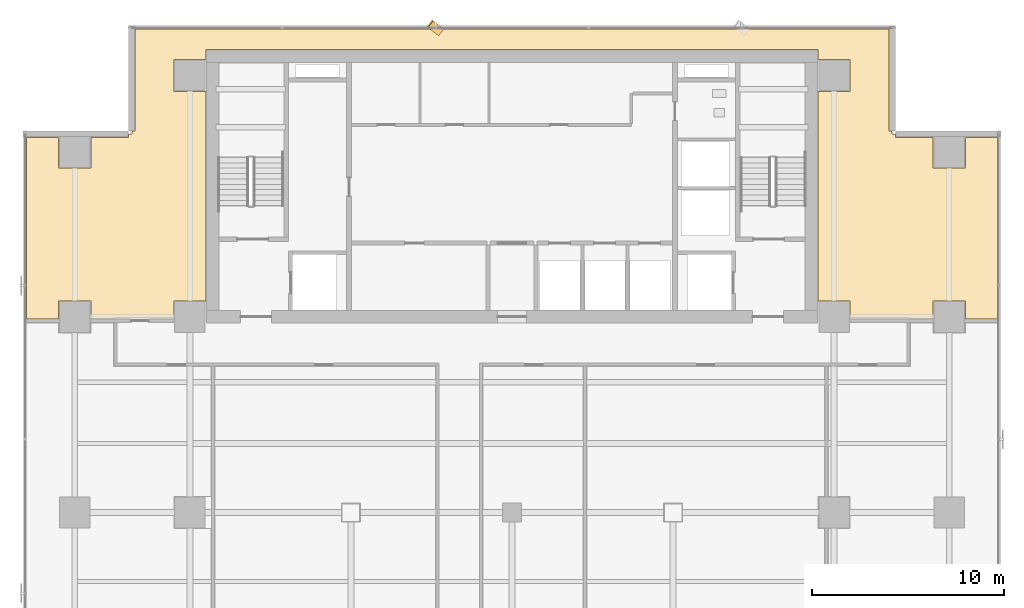
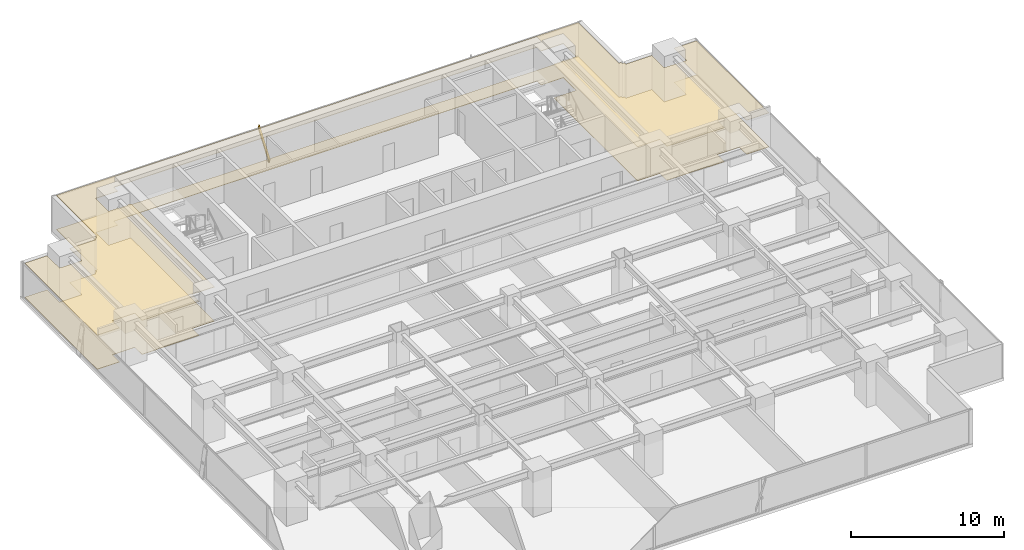
# One storey, part 32 of 34: 2 coverings, 1 shading device.
"""IFC4 building model written with IfcOpenShell, lengths in metres."""

from ifc_helpers import new_model, si_unit, direction, frame, origin, origin_2d, place, context, subcontext, project, spatial, polyline, rectangle, outline, extrude, source, transform, mapped, material, layer, layer_set, material_profile, profile_set, type_object, element, save


model = new_model("IFC4")

# Units and contexts
model_context = context("Model", 3, precision=1e-05, world=origin(), true_north=direction((0.0, 1.0)))
body_context = subcontext(model_context, "Body", "Model", "MODEL_VIEW")
ifc_project = project(units=[si_unit("LENGTHUNIT", "METRE"), si_unit("AREAUNIT", "SQUARE_METRE"), si_unit("VOLUMEUNIT", "CUBIC_METRE"), si_unit("PLANEANGLEUNIT", "RADIAN"), si_unit("MASSUNIT", "GRAM", prefix="KILO")], contexts=[model_context])

# Site, building, storey
site_placement = place(None, origin())
site = spatial("IfcSite", under=ifc_project, at=site_placement, CompositionType="ELEMENT")
building_placement = place(site_placement, origin())
building = spatial("IfcBuilding", under=site, at=building_placement, Name="Sumidabori Civic Tower", CompositionType="ELEMENT")
storey_placement = place(building_placement, frame((0.0, 0.0, 106.39990234375)))
storey = spatial("IfcBuildingStorey", under=building, at=storey_placement, Name="L27", CompositionType="ELEMENT", Elevation=106.39990234375)

# Coverings
ifc_material_1 = material(Name="Acoustic Mineral Gypsum Ceiling Tile")
ifc_layer_1 = layer(ifc_material_1, 0.034912109375, Name="Acoustic Mineral Gypsum Ceiling Tile")
ifc_layer_set_1 = layer_set([ifc_layer_1], Name="Acoustic Mineral Gypsum Ceiling Tile")
covering_type_1 = type_object("IfcCoveringType", Name="CV-CEIL-AC1", PredefinedType="CEILING", material=ifc_layer_set_1)
covering_1_placement = place(storey_placement, frame((0.0, 0.0, 2.710205078125)))
element("IfcCovering", 1, at=covering_1_placement, inside=storey, type_object=covering_type_1, Name="Room Acoustic Ceiling L27-01", PredefinedType="CEILING", context=body_context, shape_type="SweptSolid", body=[
    extrude(outline(polyline([(-21.9599609375, 10.1025390625), (-21.9599609375, 11.0400390625), (-23.639892578125, 11.0400390625), (-23.639892578125, 10.1025390625), (-25.330078125, 10.1025390625), (-25.330078125, 19.572021484375), (-23.639892578125, 19.572021484375), (-23.639892578125, 17.9599609375), (-21.9599609375, 17.9599609375), (-21.9599609375, 19.572021484375), (-19.991943359375, 19.572021484375), (-19.991943359375, 19.72998046875), (-19.830078125, 19.72998046875), (-19.830078125, 19.89208984375), (-19.672119140625, 19.89208984375), (-19.672119140625, 25.22998046875), (19.672119140625, 25.22998046875), (19.672119140625, 19.89208984375), (19.830078125, 19.89208984375), (19.830078125, 19.72998046875), (19.991943359375, 19.72998046875), (19.991943359375, 19.572021484375), (21.9599609375, 19.572021484375), (21.9599609375, 17.9599609375), (23.639892578125, 17.9599609375), (23.639892578125, 19.572021484375), (25.330078125, 19.572021484375), (25.330078125, 10.1025390625), (23.639892578125, 10.1025390625), (23.639892578125, 11.0400390625), (21.9599609375, 11.0400390625), (21.9599609375, 10.1025390625), (20.784912109375, 10.1025390625), (20.784912109375, 10.135009765625), (17.639892578125, 10.135009765625), (17.639892578125, 11.0400390625), (15.952880859375, 11.0400390625), (15.952880859375, 21.9599609375), (17.639892578125, 21.9599609375), (17.639892578125, 23.639892578125), (15.952880859375, 23.639892578125), (15.952880859375, 24.153076171875), (-15.952880859375, 24.153076171875), (-15.952880859375, 23.639892578125), (-17.639892578125, 23.639892578125), (-17.639892578125, 21.9599609375), (-15.952880859375, 21.9599609375), (-15.952880859375, 11.0400390625), (-17.639892578125, 11.0400390625), (-17.639892578125, 10.135009765625), (-20.784912109375, 10.135009765625), (-20.784912109375, 10.1025390625), (-21.9599609375, 10.1025390625)])), origin(), (0.0, 0.0, 1.0), 0.034912109375),
])
ifc_material_2 = material(Name="Honed Terrazzo Tile Flooring")
ifc_layer_2 = layer(ifc_material_2, 0.030029296875, Name="Honed Terrazzo Tile Flooring")
ifc_layer_set_2 = layer_set([ifc_layer_2], Name="Honed Terrazzo Tile Flooring")
covering_type_2 = type_object("IfcCoveringType", Name="CV-FLR-TER", PredefinedType="FLOORING", material=ifc_layer_set_2)
covering_2_placement = place(storey_placement, origin())
element("IfcCovering", 2, at=covering_2_placement, inside=storey, type_object=covering_type_2, Name="Room Terrazzo Floor L27-01", PredefinedType="FLOORING", context=body_context, shape_type="SweptSolid", body=[
    extrude(outline(polyline([(-21.9599609375, 10.1025390625), (-21.9599609375, 11.0400390625), (-23.639892578125, 11.0400390625), (-23.639892578125, 10.1025390625), (-25.330078125, 10.1025390625), (-25.330078125, 19.572021484375), (-23.639892578125, 19.572021484375), (-23.639892578125, 17.9599609375), (-21.9599609375, 17.9599609375), (-21.9599609375, 19.572021484375), (-19.991943359375, 19.572021484375), (-19.991943359375, 19.72998046875), (-19.830078125, 19.72998046875), (-19.830078125, 19.89208984375), (-19.672119140625, 19.89208984375), (-19.672119140625, 25.22998046875), (19.672119140625, 25.22998046875), (19.672119140625, 19.89208984375), (19.830078125, 19.89208984375), (19.830078125, 19.72998046875), (19.991943359375, 19.72998046875), (19.991943359375, 19.572021484375), (21.9599609375, 19.572021484375), (21.9599609375, 17.9599609375), (23.639892578125, 17.9599609375), (23.639892578125, 19.572021484375), (25.330078125, 19.572021484375), (25.330078125, 10.1025390625), (23.639892578125, 10.1025390625), (23.639892578125, 11.0400390625), (21.9599609375, 11.0400390625), (21.9599609375, 10.1025390625), (20.784912109375, 10.1025390625), (20.784912109375, 10.135009765625), (17.639892578125, 10.135009765625), (17.639892578125, 11.0400390625), (15.952880859375, 11.0400390625), (15.952880859375, 21.9599609375), (17.639892578125, 21.9599609375), (17.639892578125, 23.639892578125), (15.952880859375, 23.639892578125), (15.952880859375, 24.153076171875), (-15.952880859375, 24.153076171875), (-15.952880859375, 23.639892578125), (-17.639892578125, 23.639892578125), (-17.639892578125, 21.9599609375), (-15.952880859375, 21.9599609375), (-15.952880859375, 11.0400390625), (-17.639892578125, 11.0400390625), (-17.639892578125, 10.135009765625), (-20.784912109375, 10.135009765625), (-20.784912109375, 10.1025390625), (-21.9599609375, 10.1025390625)])), origin(), (0.0, 0.0, 1.0), 0.030029296875),
])

# Shading device
ifc_material_3 = material(Name="Anodised Bronze Aluminium AW-6063-T6", Category="aluminium")
ifc_material_profile = material_profile(ifc_material_3, rectangle(XDim=0.06005859375, YDim=0.449951171875, at=origin_2d()), Name="BRONZE FIN 450x60")
ifc_profile_set = profile_set([ifc_material_profile], Name="Anodised Bronze Aluminium AW-6063-T6")
shading_device_type = type_object("IfcShadingDeviceType", Name="SH-FIN-450", PredefinedType="USERDEFINED", material=ifc_profile_set)
shared_shape = source(origin(), body_context, "Body", "SweptSolid", [
    extrude(rectangle(XDim=0.06005859375, YDim=0.449951171875, at=origin_2d()), origin(), (0.0, 0.0, 1.0), 2.77001953125),
])
shading_device_placement = place(storey_placement, frame((-3.714111328125, 25.070068359375, 0.02001953125), z_axis=(-0.202096857265, 0.151594677059, 0.967561839972), x_axis=(0.774008963737, -0.580591111046, 0.252634292662)))
element("IfcShadingDevice", 3, at=shading_device_placement, inside=storey, type_object=shading_device_type, Name="Bronze Anodised Diagonal Fin L27-03", ObjectType="FIN", PredefinedType="USERDEFINED", context=body_context, shape_type="MappedRepresentation", body=[
    mapped(shared_shape, transform((0.0, 0.0, 0.0), x_axis=(1.0, 0.0, 0.0), y_axis=(0.0, 1.0, 0.0), z_axis=(0.0, 0.0, 1.0), scale=1.0)),
])

save(model, "model.ifc")
